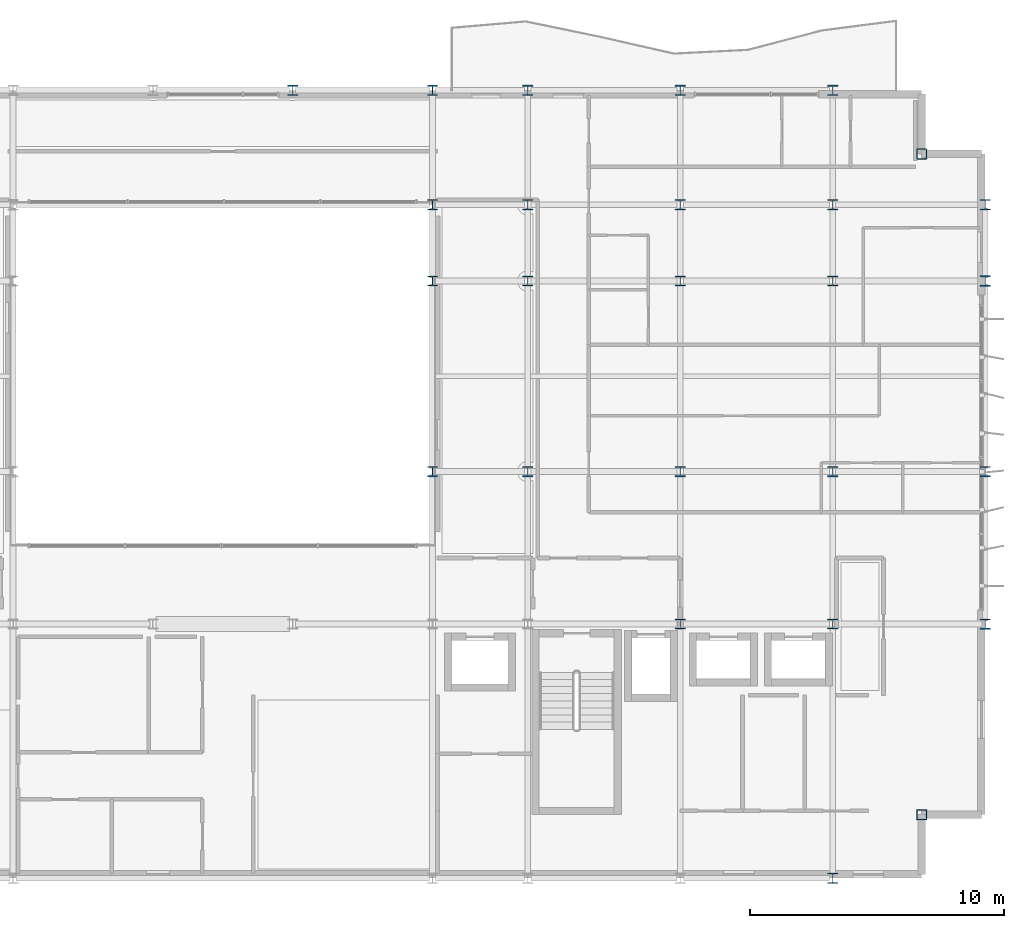
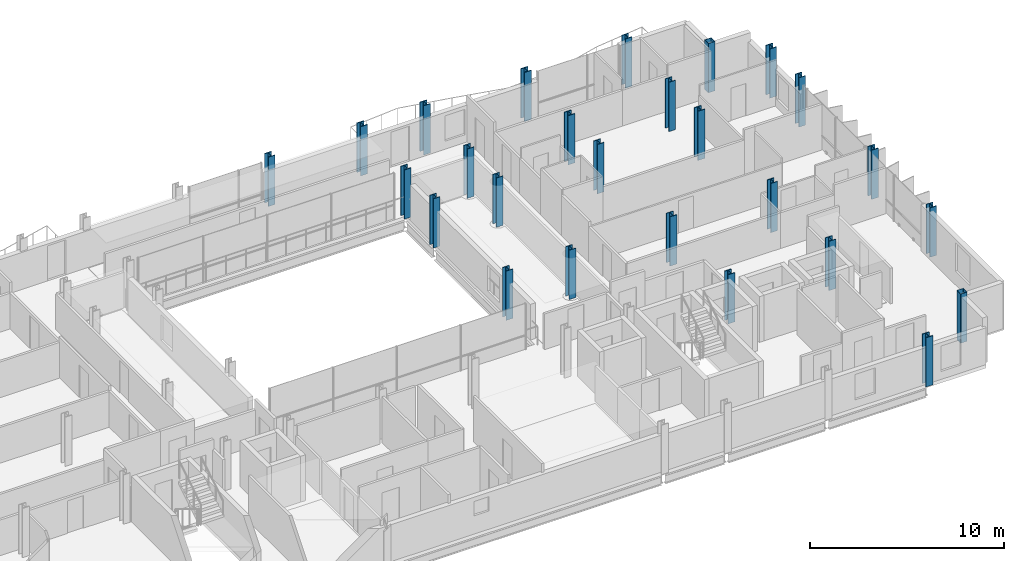
# One storey, part 2 of 40: 26 columns.
"""IFC4 building model written with IfcOpenShell, lengths in metres."""

import ifcopenshell
import ifcopenshell.guid

model = None  # the IFC model being written
_history = None  # IfcOwnerHistory: only IFC2X3 demands one
_inside = {}  # id of a spatial element -> (the spatial element, [elements in it])
_under = {}  # id of a project, library or spatial element -> (it, [spatial elements below it])
_declared = {}  # id of a project -> (the project, [libraries it declares])
_typed = {}  # id of a type object -> (the type object, [elements of that type])
_made_of = {}  # id of a material, layer set ... -> (it, [elements and type objects made of it])


def new_model(schema):
    """Start an empty IFC model of exactly this schema.

    Asked for "IFC4X3", IfcOpenShell would pick the latest addendum, in which some entities
    have other attributes; the version numbers below select the first issue.
    IFC2X3 requires an IfcOwnerHistory on every rooted entity: one is made here for all.
    """
    global model, _history
    if schema == "IFC4X3":
        model = ifcopenshell.file(schema_version=(4, 3, 0, 0))
    else:
        model = ifcopenshell.file(schema=schema)
    _inside.clear()
    _under.clear()
    _declared.clear()
    _typed.clear()
    _made_of.clear()
    _history = None
    if model.schema == "IFC2X3":
        org = make("IfcOrganization", Name="unknown")
        user = make(
            "IfcPersonAndOrganization",
            ThePerson=make("IfcPerson", FamilyName="unknown"),
            TheOrganization=org,
        )
        app = make(
            "IfcApplication",
            ApplicationDeveloper=org,
            Version="unknown",
            ApplicationFullName="unknown",
            ApplicationIdentifier="unknown",
        )
        _history = make(
            "IfcOwnerHistory",
            OwningUser=user,
            OwningApplication=app,
            ChangeAction="ADDED",
            CreationDate=0,
        )
    return model


def make(cls, **values):
    """One entity of the class cls with the attributes given. An attribute that is None is left unset."""
    return model.create_entity(
        cls, **{name: value for name, value in values.items() if value is not None}
    )


def rooted(cls, **values):
    """An entity with a GlobalId (a new one), such as an element, a storey or a relation."""
    return make(cls, GlobalId=ifcopenshell.guid.new(), OwnerHistory=_history, **values)


def si_unit(unit_type, name, prefix=None):
    """IfcSIUnit, for example si_unit("LENGTHUNIT", "METRE", prefix="MILLI")."""
    return make("IfcSIUnit", UnitType=unit_type, Prefix=prefix, Name=name)


def assignment(units):
    """IfcUnitAssignment: the units of a project."""
    return None if units is None else make("IfcUnitAssignment", Units=units)


def point(xyz):
    """IfcCartesianPoint."""
    return None if xyz is None else make("IfcCartesianPoint", Coordinates=xyz)


def direction(xyz):
    """IfcDirection."""
    return None if xyz is None else make("IfcDirection", DirectionRatios=xyz)


def frame(location, z_axis=None, x_axis=None):
    """IfcAxis2Placement3D, a coordinate frame: its origin and axes. An axis left out is left unset."""
    return make(
        "IfcAxis2Placement3D",
        Location=point(location),
        Axis=direction(z_axis),
        RefDirection=direction(x_axis),
    )


def frame_2d(location, x_axis=None):
    """IfcAxis2Placement2D, a coordinate frame in the plane: its origin and x axis."""
    return make(
        "IfcAxis2Placement2D", Location=point(location), RefDirection=direction(x_axis)
    )


def origin():
    """The frame at (0, 0, 0) with its axes left unset."""
    return frame((0.0, 0.0, 0.0))


def origin_2d():
    """The frame at (0, 0) in the plane with its x axis left unset."""
    return frame_2d((0.0, 0.0))


def place(relative_to, where):
    """IfcLocalPlacement: puts the frame where relative to a parent placement (None: the world)."""
    return make(
        "IfcLocalPlacement", PlacementRelTo=relative_to, RelativePlacement=where
    )


def context(
    kind, dimensions, precision=None, world=None, true_north=None, identifier=None
):
    """IfcGeometricRepresentationContext, for example the 3D "Model" context."""
    return make(
        "IfcGeometricRepresentationContext",
        ContextIdentifier=identifier,
        ContextType=kind,
        CoordinateSpaceDimension=dimensions,
        Precision=precision,
        WorldCoordinateSystem=world,
        TrueNorth=true_north,
    )


def subcontext(parent, identifier, kind, view, scale=None):
    """IfcGeometricRepresentationSubContext, for example "Body" below "Model"."""
    return make(
        "IfcGeometricRepresentationSubContext",
        ContextIdentifier=identifier,
        ContextType=kind,
        ParentContext=parent,
        TargetScale=scale,
        TargetView=view,
    )


def project(units=None, contexts=None):
    """IfcProject with its units and contexts."""
    return rooted(
        "IfcProject",
        Name="project",
        RepresentationContexts=contexts,
        UnitsInContext=assignment(units),
    )


def spatial(cls, under=None, at=None, **own):
    """A site, building, storey or space (cls), placed at a placement, below another one or the project."""
    s = rooted(cls, ObjectPlacement=at, **own)
    if under is not None:
        _under.setdefault(under.id(), (under, []))[1].append(s)
    return s


def profile(cls, at=None, kind="AREA", **sizes):
    """A parametric profile (cls). Its sizes go by their IFC names, for example OverallWidth=200.0."""
    return make(cls, ProfileType=kind, Position=at, **sizes)


def hollow_rectangle(**sizes):
    """IfcRectangleHollowProfileDef."""
    return profile("IfcRectangleHollowProfileDef", **sizes)


def i_section(**sizes):
    """IfcIShapeProfileDef."""
    return profile("IfcIShapeProfileDef", **sizes)


def extrude(swept, where, along, depth):
    """IfcExtrudedAreaSolid: the profile swept, set in the frame where, extruded along a direction by depth."""
    return make(
        "IfcExtrudedAreaSolid",
        SweptArea=swept,
        Position=where,
        ExtrudedDirection=direction(along),
        Depth=depth,
    )


def shape(context_of_items, identifier, shape_type, items):
    """IfcShapeRepresentation: the items that make up one representation, for example the "Body"."""
    return make(
        "IfcShapeRepresentation",
        ContextOfItems=context_of_items,
        RepresentationIdentifier=identifier,
        RepresentationType=shape_type,
        Items=items,
    )


def material(Name=None, Category=None):
    """IfcMaterial."""
    return make("IfcMaterial", Name=Name, Category=Category)


def material_profile(
    of_material, cross_section, Name=None, Category=None, Priority=None
):
    """IfcMaterialProfile: a cross section and its material."""
    return make(
        "IfcMaterialProfile",
        Name=Name,
        Material=of_material,
        Profile=cross_section,
        Priority=Priority,
        Category=Category,
    )


def profile_set(profiles, Name=None, composite=None):
    """IfcMaterialProfileSet."""
    return make(
        "IfcMaterialProfileSet",
        Name=Name,
        MaterialProfiles=profiles,
        CompositeProfile=composite,
    )


def made_of(thing, what):
    """Note that an element or type object is made of a material, layer set ...; save() writes the relation."""
    if what is not None:
        _made_of.setdefault(what.id(), (what, []))[1].append(thing)
    return thing


def type_object(cls, material=None, **own):
    """A type object (cls), such as IfcWallType, which elements share."""
    return made_of(rooted(cls, **own), material)


def element(
    cls,
    number,
    at=None,
    inside=None,
    cuts=None,
    type_object=None,
    material=None,
    context=None,
    identifier="Body",
    shape_type=None,
    held_by="IfcProductDefinitionShape",
    body=None,
    shapes=None,
    **own,
):
    """One element of the class cls, such as IfcWall. Its Tag is "e" and its number.

    at: its placement. inside: the storey or other place that contains it. cuts: it is an
    opening in that element (IfcRelVoidsElement). A single representation is given by context,
    identifier, shape_type and body (its items); several are given by shapes. held_by: the class
    of the entity that holds the representations. save() writes the other relations.
    """
    e = rooted(cls, Tag="e%d" % number, ObjectPlacement=at, **own)
    if body is not None:
        shapes = [shape(context, identifier, shape_type, body)]
    if shapes is not None:
        e.Representation = make(held_by, Representations=shapes)
    if inside is not None:
        _inside.setdefault(inside.id(), (inside, []))[1].append(e)
    if cuts is not None:
        rooted(
            "IfcRelVoidsElement", RelatingBuildingElement=cuts, RelatedOpeningElement=e
        )
    if type_object is not None:
        _typed.setdefault(type_object.id(), (type_object, []))[1].append(e)
    return made_of(e, material)


def aggregate(whole, parts):
    """IfcRelAggregates: a whole, such as a stair, and the parts it consists of."""
    return rooted("IfcRelAggregates", RelatingObject=whole, RelatedObjects=parts)


def save(model, path):
    """Write the relations noted so far, then the file.

    IfcRelAggregates (storeys below a building ...), IfcRelContainedInSpatialStructure (elements
    in a storey), IfcRelDefinesByType, IfcRelAssociatesMaterial and IfcRelDeclares: one each for
    every whole, place, type object, material and project.
    """
    for whole, parts in _under.values():
        aggregate(whole, parts)
    for where, things in _inside.values():
        rooted(
            "IfcRelContainedInSpatialStructure",
            RelatedElements=things,
            RelatingStructure=where,
        )
    for kind, things in _typed.values():
        rooted("IfcRelDefinesByType", RelatedObjects=things, RelatingType=kind)
    for what, things in _made_of.values():
        rooted("IfcRelAssociatesMaterial", RelatedObjects=things, RelatingMaterial=what)
    for by, libraries in _declared.values():
        rooted("IfcRelDeclares", RelatingContext=by, RelatedDefinitions=libraries)
    model.write(path)


model = new_model("IFC4")

# Units and contexts
model_context = context("Model", 3, precision=1e-05, world=origin(), true_north=direction((0.0, 1.0)))
body_context = subcontext(model_context, "Body", "Model", "MODEL_VIEW")
ifc_project = project(units=[si_unit("LENGTHUNIT", "METRE"), si_unit("AREAUNIT", "SQUARE_METRE"), si_unit("VOLUMEUNIT", "CUBIC_METRE"), si_unit("PLANEANGLEUNIT", "RADIAN"), si_unit("MASSUNIT", "GRAM", prefix="KILO")], contexts=[model_context])

# Site, building, storey
site_placement = place(None, origin())
site = spatial("IfcSite", under=ifc_project, at=site_placement, CompositionType="ELEMENT")
building_placement = place(site_placement, origin())
building = spatial("IfcBuilding", under=site, at=building_placement, Name="Brevholm Reach", CompositionType="ELEMENT")
storey_placement = place(building_placement, frame((0.0, 0.0, 148.0)))
storey = spatial("IfcBuildingStorey", under=building, at=storey_placement, Name="L44", CompositionType="ELEMENT", Elevation=148.0)

# Columns
ifc_material_1 = material(Name="Structural Steel S460NH", Category="steel")
ifc_material_profile_1 = material_profile(ifc_material_1, hollow_rectangle(XDim=0.39990234375, YDim=0.39990234375, WallThickness=0.02001953125, InnerFilletRadius=0.011962890625, OuterFilletRadius=0.02392578125, at=origin_2d()), Name="SHS 400x400x20")
ifc_profile_set_1 = profile_set([ifc_material_profile_1], Name="Structural Steel S460NH")
column_type_1 = type_object("IfcColumnType", Name="COL-SHS2", PredefinedType="COLUMN", material=ifc_profile_set_1)
for number, where, z_axis, x_axis, name in (
    (1, (57.5, 2.5, 0.0), (0.0, 0.0, 1.0), (1.0, 0.0, 0.0), "L44 Column 59"),
    (2, (57.5, 28.5, 0.0), (0.0, 0.0, 1.0), (1.0, 0.0, 0.0), "L44 Column 60"),
):
    element("IfcColumn", number, at=place(storey_placement, frame(where, z_axis=z_axis, x_axis=x_axis)), inside=storey, type_object=column_type_1, Name=name, PredefinedType="COLUMN", context=body_context, shape_type="SweptSolid", body=[
        extrude(hollow_rectangle(XDim=0.39990234375, YDim=0.39990234375, WallThickness=0.02001953125, InnerFilletRadius=0.011962890625, OuterFilletRadius=0.02392578125, at=origin_2d()), origin(), (0.0, 0.0, 1.0), 3.10009765625),
    ])
ifc_material_2 = material(Name="Structural Steel S355J2", Category="steel")
ifc_material_profile_2 = material_profile(ifc_material_2, i_section(OverallWidth=0.406982421875, OverallDepth=0.4189453125, WebThickness=0.030517578125, FlangeThickness=0.04931640625, FilletRadius=0.01513671875, at=origin_2d()), Name="UKC 356x406x393")
ifc_profile_set_2 = profile_set([ifc_material_profile_2], Name="Structural Steel S355J2")
column_type_2 = type_object("IfcColumnType", Name="COL-UC4", PredefinedType="COLUMN", material=ifc_profile_set_2)
for number, where, z_axis, x_axis, name in (
    (3, (32.75, 31.0, 0.0), (0.0, 0.0, 1.0), (1.0, 0.0, 0.0), "L44 Column 34"),
    (4, (38.25, 31.0, 0.0), (0.0, 0.0, 1.0), (1.0, 0.0, 0.0), "L44 Column 40"),
    (5, (42.0, 31.0, 0.0), (0.0, 0.0, 1.0), (1.0, 0.0, 0.0), "L44 Column 46"),
    (6, (48.0, 31.0, 0.0), (0.0, 0.0, 1.0), (1.0, 0.0, 0.0), "L44 Column 52"),
    (7, (54.0, 0.0, 0.0), (0.0, 0.0, 1.0), (1.0, 0.0, 0.0), "L44 Column 53"),
    (8, (54.0, 31.0, 0.0), (0.0, 0.0, 1.0), (1.0, 0.0, 0.0), "L44 Column 58"),
    (9, (60.0, 10.0, 0.0), (0.0, 0.0, 1.0), (1.0, 0.0, 0.0), "L44 Column 61"),
    (10, (60.0, 16.0, 0.0), (0.0, 0.0, 1.0), (1.0, 0.0, 0.0), "L44 Column 62"),
    (11, (60.0, 23.5, 0.0), (0.0, 0.0, 1.0), (1.0, 0.0, 0.0), "L44 Column 63"),
    (12, (60.0, 26.5, 0.0), (0.0, 0.0, 1.0), (1.0, 0.0, 0.0), "L44 Column 64"),
):
    element("IfcColumn", number, at=place(storey_placement, frame(where, z_axis=z_axis, x_axis=x_axis)), inside=storey, type_object=column_type_2, Name=name, PredefinedType="COLUMN", context=body_context, shape_type="SweptSolid", body=[
        extrude(i_section(OverallWidth=0.406982421875, OverallDepth=0.4189453125, WebThickness=0.030517578125, FlangeThickness=0.04931640625, FilletRadius=0.01513671875, at=origin_2d()), origin(), (0.0, 0.0, 1.0), 3.10009765625),
    ])
ifc_material_3 = material(Name="Structural Steel S355J2", Category="steel")
ifc_material_profile_3 = material_profile(ifc_material_3, i_section(OverallWidth=0.403076171875, OverallDepth=0.406494140625, WebThickness=0.026611328125, FlangeThickness=0.04296875, FilletRadius=0.01513671875, at=origin_2d()), Name="UKC 356x406x340")
ifc_profile_set_3 = profile_set([ifc_material_profile_3], Name="Structural Steel S355J2")
column_type_3 = type_object("IfcColumnType", Name="COL-UC5", PredefinedType="COLUMN", material=ifc_profile_set_3)
for number, where, z_axis, x_axis, name in (
    (13, (38.25, 16.0, 0.0), (0.0, 0.0, 1.0), (1.0, 0.0, 0.0), "L44 Column 37"),
    (14, (38.25, 23.5, 0.0), (0.0, 0.0, 1.0), (1.0, 0.0, 0.0), "L44 Column 38"),
    (15, (38.25, 26.5, 0.0), (0.0, 0.0, 1.0), (1.0, 0.0, 0.0), "L44 Column 39"),
    (16, (42.0, 16.0, 0.0), (0.0, 0.0, 1.0), (1.0, 0.0, 0.0), "L44 Column 43"),
    (17, (42.0, 23.5, 0.0), (0.0, 0.0, 1.0), (1.0, 0.0, 0.0), "L44 Column 44"),
    (18, (42.0, 26.5, 0.0), (0.0, 0.0, 1.0), (1.0, 0.0, 0.0), "L44 Column 45"),
    (19, (48.0, 10.0, 0.0), (0.0, 0.0, 1.0), (1.0, 0.0, 0.0), "L44 Column 48"),
    (20, (48.0, 16.0, 0.0), (0.0, 0.0, 1.0), (1.0, 0.0, 0.0), "L44 Column 49"),
    (21, (48.0, 23.5, 0.0), (0.0, 0.0, 1.0), (1.0, 0.0, 0.0), "L44 Column 50"),
    (22, (48.0, 26.5, 0.0), (0.0, 0.0, 1.0), (1.0, 0.0, 0.0), "L44 Column 51"),
    (23, (54.0, 10.0, 0.0), (0.0, 0.0, 1.0), (1.0, 0.0, 0.0), "L44 Column 54"),
    (24, (54.0, 16.0, 0.0), (0.0, 0.0, 1.0), (1.0, 0.0, 0.0), "L44 Column 55"),
    (25, (54.0, 23.5, 0.0), (0.0, 0.0, 1.0), (1.0, 0.0, 0.0), "L44 Column 56"),
    (26, (54.0, 26.5, 0.0), (0.0, 0.0, 1.0), (1.0, 0.0, 0.0), "L44 Column 57"),
):
    element("IfcColumn", number, at=place(storey_placement, frame(where, z_axis=z_axis, x_axis=x_axis)), inside=storey, type_object=column_type_3, Name=name, PredefinedType="COLUMN", context=body_context, shape_type="SweptSolid", body=[
        extrude(i_section(OverallWidth=0.403076171875, OverallDepth=0.406494140625, WebThickness=0.026611328125, FlangeThickness=0.04296875, FilletRadius=0.01513671875, at=origin_2d()), origin(), (0.0, 0.0, 1.0), 3.10009765625),
    ])

save(model, "model.ifc")
